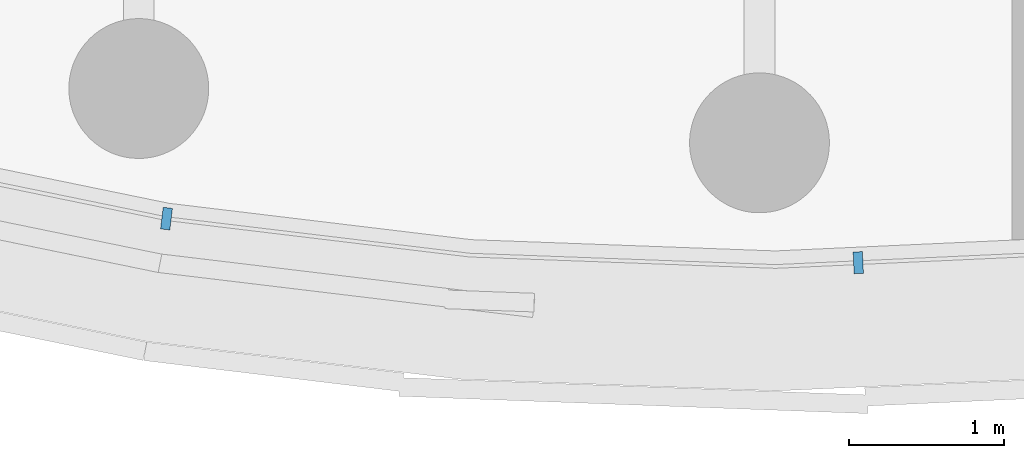
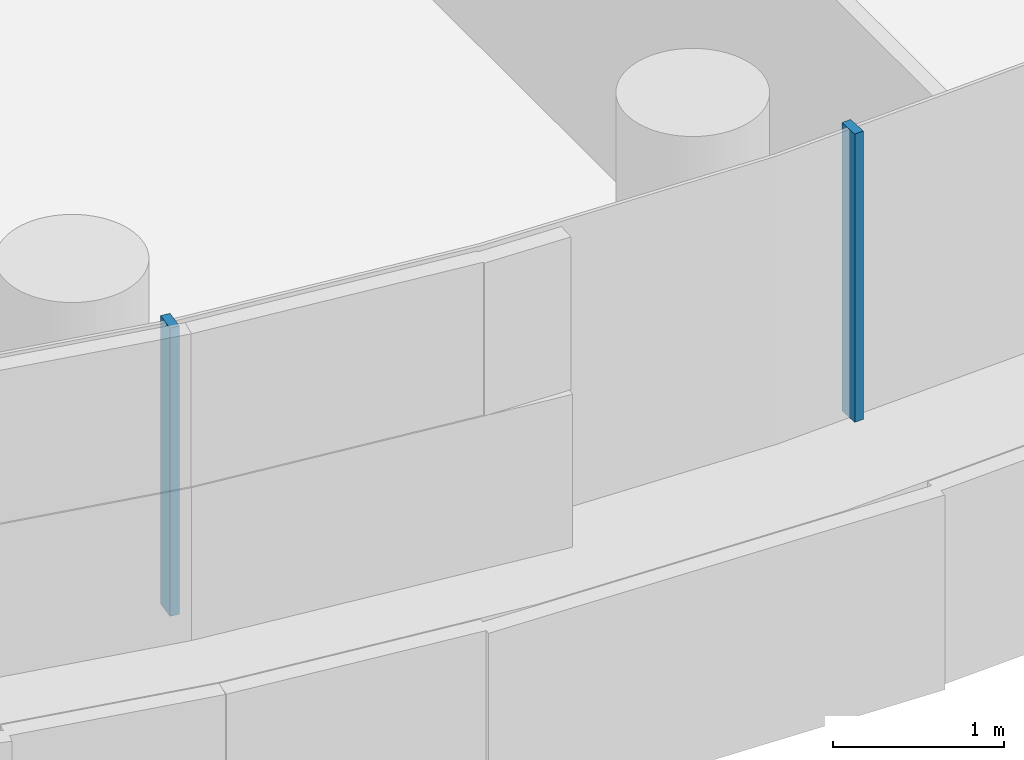
# One storey, part 6 of 27: 2 members, 1 element without a shape of its own.
"""IFC4 building model written with IfcOpenShell, lengths in metres."""

from ifc_helpers import new_model, si_unit, direction, frame, origin, origin_2d, place, context, subcontext, project, spatial, rectangle, extrude, material, layer, layer_set, material_profile, profile_set, type_object, element, aggregate, save


model = new_model("IFC4")

# Units and contexts
model_context = context("Model", 3, precision=1e-05, world=origin(), true_north=direction((0.0, 1.0)))
body_context = subcontext(model_context, "Body", "Model", "MODEL_VIEW")
ifc_project = project(units=[si_unit("LENGTHUNIT", "METRE"), si_unit("AREAUNIT", "SQUARE_METRE"), si_unit("VOLUMEUNIT", "CUBIC_METRE"), si_unit("PLANEANGLEUNIT", "RADIAN"), si_unit("MASSUNIT", "GRAM", prefix="KILO")], contexts=[model_context])

# Site, building, storey
site_placement = place(None, origin())
site = spatial("IfcSite", under=ifc_project, at=site_placement, CompositionType="ELEMENT")
building_placement = place(site_placement, origin())
building = spatial("IfcBuilding", under=site, at=building_placement, Name="Tamarind Cross Interchange Tower", CompositionType="ELEMENT")
storey_placement = place(building_placement, frame((0.0, 0.0, 227.10009765625)))
storey = spatial("IfcBuildingStorey", under=building, at=storey_placement, Name="L57", CompositionType="ELEMENT", Elevation=227.10009765625)

# Curtain wall, members
ifc_material = material(Name="Aluminium 6063-T6", Category="aluminium")
ifc_layer = layer(ifc_material, 0.139892578125)
ifc_layer_set = layer_set([ifc_layer], Name="Aluminium 6063-T6")
curtain_wall_type = type_object("IfcCurtainWallType", Name="Hotel curtain wall, 4.5 m bays", PredefinedType="NOTDEFINED", material=ifc_layer_set)
curtain_wall_placement = place(storey_placement, origin())
curtain_wall = element("IfcCurtainWall", 1, at=curtain_wall_placement, inside=storey, type_object=curtain_wall_type, Name="CWS-L57-02", PredefinedType="NOTDEFINED")
ifc_material_profile = material_profile(ifc_material, rectangle(XDim=0.06005859375, YDim=0.139892578125, at=origin_2d()), Name="Mullion CW2")
ifc_profile_set = profile_set([ifc_material_profile], Name="Aluminium 6063-T6")
member_type = type_object("IfcMemberType", Name="Mullion CW2", PredefinedType="MULLION", material=ifc_profile_set)
member_1_placement = place(storey_placement, frame((-3.8154296875, -23.48779296875, 1.39990234375), z_axis=(0.0, 0.0, 1.0), x_axis=(0.992843710523, -0.119420963295, 0.0)))
member_1 = element("IfcMember", 2, at=member_1_placement, type_object=member_type, Name="CWM-L57-02-05", PredefinedType="MULLION", context=body_context, shape_type="SweptSolid", body=[
    extrude(rectangle(XDim=0.06005859375, YDim=0.139892578125, at=origin_2d()), origin(), (0.0, 0.0, 1.0), 2.06005859375),
])
member_2_placement = place(storey_placement, frame((0.635498046875, -23.771240234375, 1.39990234375), z_axis=(0.0, 0.0, 1.0), x_axis=(0.998958660912, 0.045624486728, 0.0)))
member_2 = element("IfcMember", 3, at=member_2_placement, type_object=member_type, Name="CWM-L57-02-06", PredefinedType="MULLION", context=body_context, shape_type="SweptSolid", body=[
    extrude(rectangle(XDim=0.06005859375, YDim=0.139892578125, at=origin_2d()), origin(), (0.0, 0.0, 1.0), 2.06005859375),
])
aggregate(curtain_wall, [member_1, member_2])

save(model, "model.ifc")
